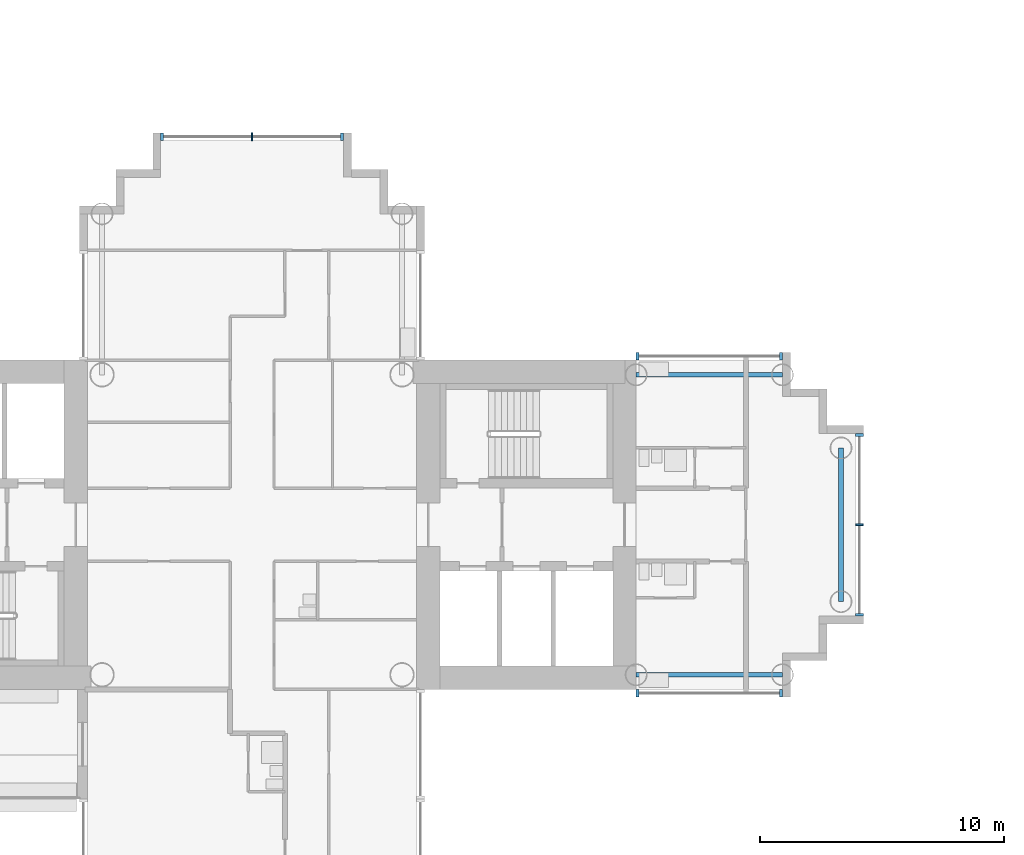
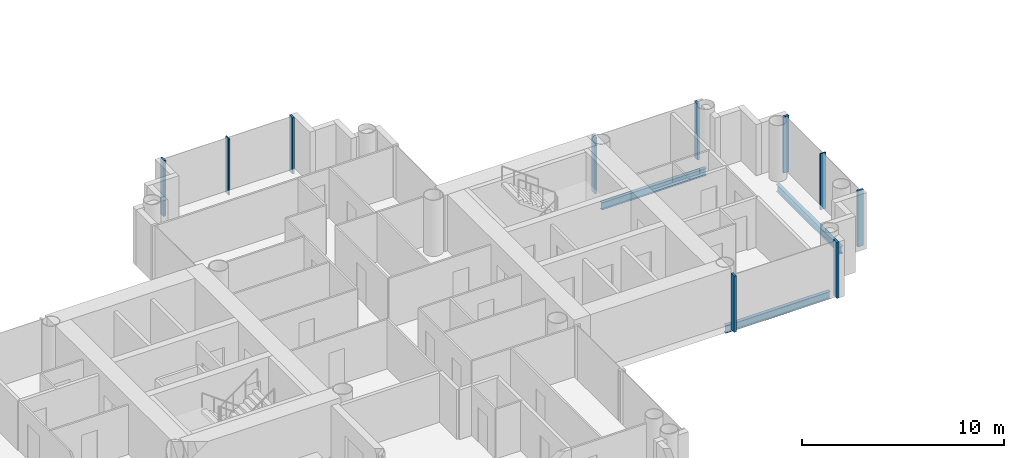
# One storey, part 4 of 21: 10 members, 3 beams, 4 elements without a shape of their own.
"""IFC4 building model written with IfcOpenShell, lengths in metres."""

import ifcopenshell
import ifcopenshell.guid

model = None  # the IFC model being written
_history = None  # IfcOwnerHistory: only IFC2X3 demands one
_inside = {}  # id of a spatial element -> (the spatial element, [elements in it])
_under = {}  # id of a project, library or spatial element -> (it, [spatial elements below it])
_declared = {}  # id of a project -> (the project, [libraries it declares])
_typed = {}  # id of a type object -> (the type object, [elements of that type])
_made_of = {}  # id of a material, layer set ... -> (it, [elements and type objects made of it])


def new_model(schema):
    """Start an empty IFC model of exactly this schema.

    Asked for "IFC4X3", IfcOpenShell would pick the latest addendum, in which some entities
    have other attributes; the version numbers below select the first issue.
    IFC2X3 requires an IfcOwnerHistory on every rooted entity: one is made here for all.
    """
    global model, _history
    if schema == "IFC4X3":
        model = ifcopenshell.file(schema_version=(4, 3, 0, 0))
    else:
        model = ifcopenshell.file(schema=schema)
    _inside.clear()
    _under.clear()
    _declared.clear()
    _typed.clear()
    _made_of.clear()
    _history = None
    if model.schema == "IFC2X3":
        org = make("IfcOrganization", Name="unknown")
        user = make(
            "IfcPersonAndOrganization",
            ThePerson=make("IfcPerson", FamilyName="unknown"),
            TheOrganization=org,
        )
        app = make(
            "IfcApplication",
            ApplicationDeveloper=org,
            Version="unknown",
            ApplicationFullName="unknown",
            ApplicationIdentifier="unknown",
        )
        _history = make(
            "IfcOwnerHistory",
            OwningUser=user,
            OwningApplication=app,
            ChangeAction="ADDED",
            CreationDate=0,
        )
    return model


def make(cls, **values):
    """One entity of the class cls with the attributes given. An attribute that is None is left unset."""
    return model.create_entity(
        cls, **{name: value for name, value in values.items() if value is not None}
    )


def rooted(cls, **values):
    """An entity with a GlobalId (a new one), such as an element, a storey or a relation."""
    return make(cls, GlobalId=ifcopenshell.guid.new(), OwnerHistory=_history, **values)


def si_unit(unit_type, name, prefix=None):
    """IfcSIUnit, for example si_unit("LENGTHUNIT", "METRE", prefix="MILLI")."""
    return make("IfcSIUnit", UnitType=unit_type, Prefix=prefix, Name=name)


def assignment(units):
    """IfcUnitAssignment: the units of a project."""
    return None if units is None else make("IfcUnitAssignment", Units=units)


def point(xyz):
    """IfcCartesianPoint."""
    return None if xyz is None else make("IfcCartesianPoint", Coordinates=xyz)


def direction(xyz):
    """IfcDirection."""
    return None if xyz is None else make("IfcDirection", DirectionRatios=xyz)


def frame(location, z_axis=None, x_axis=None):
    """IfcAxis2Placement3D, a coordinate frame: its origin and axes. An axis left out is left unset."""
    return make(
        "IfcAxis2Placement3D",
        Location=point(location),
        Axis=direction(z_axis),
        RefDirection=direction(x_axis),
    )


def frame_2d(location, x_axis=None):
    """IfcAxis2Placement2D, a coordinate frame in the plane: its origin and x axis."""
    return make(
        "IfcAxis2Placement2D", Location=point(location), RefDirection=direction(x_axis)
    )


def origin():
    """The frame at (0, 0, 0) with its axes left unset."""
    return frame((0.0, 0.0, 0.0))


def origin_2d():
    """The frame at (0, 0) in the plane with its x axis left unset."""
    return frame_2d((0.0, 0.0))


def place(relative_to, where):
    """IfcLocalPlacement: puts the frame where relative to a parent placement (None: the world)."""
    return make(
        "IfcLocalPlacement", PlacementRelTo=relative_to, RelativePlacement=where
    )


def context(
    kind, dimensions, precision=None, world=None, true_north=None, identifier=None
):
    """IfcGeometricRepresentationContext, for example the 3D "Model" context."""
    return make(
        "IfcGeometricRepresentationContext",
        ContextIdentifier=identifier,
        ContextType=kind,
        CoordinateSpaceDimension=dimensions,
        Precision=precision,
        WorldCoordinateSystem=world,
        TrueNorth=true_north,
    )


def subcontext(parent, identifier, kind, view, scale=None):
    """IfcGeometricRepresentationSubContext, for example "Body" below "Model"."""
    return make(
        "IfcGeometricRepresentationSubContext",
        ContextIdentifier=identifier,
        ContextType=kind,
        ParentContext=parent,
        TargetScale=scale,
        TargetView=view,
    )


def project(units=None, contexts=None):
    """IfcProject with its units and contexts."""
    return rooted(
        "IfcProject",
        Name="project",
        RepresentationContexts=contexts,
        UnitsInContext=assignment(units),
    )


def spatial(cls, under=None, at=None, **own):
    """A site, building, storey or space (cls), placed at a placement, below another one or the project."""
    s = rooted(cls, ObjectPlacement=at, **own)
    if under is not None:
        _under.setdefault(under.id(), (under, []))[1].append(s)
    return s


def profile(cls, at=None, kind="AREA", **sizes):
    """A parametric profile (cls). Its sizes go by their IFC names, for example OverallWidth=200.0."""
    return make(cls, ProfileType=kind, Position=at, **sizes)


def rectangle(**sizes):
    """IfcRectangleProfileDef."""
    return profile("IfcRectangleProfileDef", **sizes)


def i_section(**sizes):
    """IfcIShapeProfileDef."""
    return profile("IfcIShapeProfileDef", **sizes)


def extrude(swept, where, along, depth):
    """IfcExtrudedAreaSolid: the profile swept, set in the frame where, extruded along a direction by depth."""
    return make(
        "IfcExtrudedAreaSolid",
        SweptArea=swept,
        Position=where,
        ExtrudedDirection=direction(along),
        Depth=depth,
    )


def shape(context_of_items, identifier, shape_type, items):
    """IfcShapeRepresentation: the items that make up one representation, for example the "Body"."""
    return make(
        "IfcShapeRepresentation",
        ContextOfItems=context_of_items,
        RepresentationIdentifier=identifier,
        RepresentationType=shape_type,
        Items=items,
    )


def material(Name=None, Category=None):
    """IfcMaterial."""
    return make("IfcMaterial", Name=Name, Category=Category)


def layer(
    of_material, thickness, ventilated=None, Name=None, Category=None, Priority=None
):
    """IfcMaterialLayer: one layer of a wall or slab, of a material (None: an air gap)."""
    return make(
        "IfcMaterialLayer",
        Material=of_material,
        LayerThickness=thickness,
        IsVentilated=ventilated,
        Name=Name,
        Category=Category,
        Priority=Priority,
    )


def layer_set(layers, Name=None):
    """IfcMaterialLayerSet."""
    return make("IfcMaterialLayerSet", MaterialLayers=layers, LayerSetName=Name)


def material_profile(
    of_material, cross_section, Name=None, Category=None, Priority=None
):
    """IfcMaterialProfile: a cross section and its material."""
    return make(
        "IfcMaterialProfile",
        Name=Name,
        Material=of_material,
        Profile=cross_section,
        Priority=Priority,
        Category=Category,
    )


def profile_set(profiles, Name=None, composite=None):
    """IfcMaterialProfileSet."""
    return make(
        "IfcMaterialProfileSet",
        Name=Name,
        MaterialProfiles=profiles,
        CompositeProfile=composite,
    )


def made_of(thing, what):
    """Note that an element or type object is made of a material, layer set ...; save() writes the relation."""
    if what is not None:
        _made_of.setdefault(what.id(), (what, []))[1].append(thing)
    return thing


def type_object(cls, material=None, **own):
    """A type object (cls), such as IfcWallType, which elements share."""
    return made_of(rooted(cls, **own), material)


def element(
    cls,
    number,
    at=None,
    inside=None,
    cuts=None,
    type_object=None,
    material=None,
    context=None,
    identifier="Body",
    shape_type=None,
    held_by="IfcProductDefinitionShape",
    body=None,
    shapes=None,
    **own,
):
    """One element of the class cls, such as IfcWall. Its Tag is "e" and its number.

    at: its placement. inside: the storey or other place that contains it. cuts: it is an
    opening in that element (IfcRelVoidsElement). A single representation is given by context,
    identifier, shape_type and body (its items); several are given by shapes. held_by: the class
    of the entity that holds the representations. save() writes the other relations.
    """
    e = rooted(cls, Tag="e%d" % number, ObjectPlacement=at, **own)
    if body is not None:
        shapes = [shape(context, identifier, shape_type, body)]
    if shapes is not None:
        e.Representation = make(held_by, Representations=shapes)
    if inside is not None:
        _inside.setdefault(inside.id(), (inside, []))[1].append(e)
    if cuts is not None:
        rooted(
            "IfcRelVoidsElement", RelatingBuildingElement=cuts, RelatedOpeningElement=e
        )
    if type_object is not None:
        _typed.setdefault(type_object.id(), (type_object, []))[1].append(e)
    return made_of(e, material)


def aggregate(whole, parts):
    """IfcRelAggregates: a whole, such as a stair, and the parts it consists of."""
    return rooted("IfcRelAggregates", RelatingObject=whole, RelatedObjects=parts)


def save(model, path):
    """Write the relations noted so far, then the file.

    IfcRelAggregates (storeys below a building ...), IfcRelContainedInSpatialStructure (elements
    in a storey), IfcRelDefinesByType, IfcRelAssociatesMaterial and IfcRelDeclares: one each for
    every whole, place, type object, material and project.
    """
    for whole, parts in _under.values():
        aggregate(whole, parts)
    for where, things in _inside.values():
        rooted(
            "IfcRelContainedInSpatialStructure",
            RelatedElements=things,
            RelatingStructure=where,
        )
    for kind, things in _typed.values():
        rooted("IfcRelDefinesByType", RelatedObjects=things, RelatingType=kind)
    for what, things in _made_of.values():
        rooted("IfcRelAssociatesMaterial", RelatedObjects=things, RelatingMaterial=what)
    for by, libraries in _declared.values():
        rooted("IfcRelDeclares", RelatingContext=by, RelatedDefinitions=libraries)
    model.write(path)


model = new_model("IFC4")

# Units and contexts
model_context = context("Model", 3, precision=1e-05, world=origin(), true_north=direction((0.0, 1.0)))
body_context = subcontext(model_context, "Body", "Model", "MODEL_VIEW")
ifc_project = project(units=[si_unit("LENGTHUNIT", "METRE"), si_unit("AREAUNIT", "SQUARE_METRE"), si_unit("VOLUMEUNIT", "CUBIC_METRE"), si_unit("PLANEANGLEUNIT", "RADIAN"), si_unit("MASSUNIT", "GRAM", prefix="KILO")], contexts=[model_context])

# Site, building, storey
site_placement = place(None, origin())
site = spatial("IfcSite", under=ifc_project, at=site_placement, CompositionType="ELEMENT")
building_placement = place(site_placement, origin())
building = spatial("IfcBuilding", under=site, at=building_placement, Name="Ipe Terrace Towers", CompositionType="ELEMENT")
storey_placement = place(building_placement, frame((0.0, 0.0, 97.0)))
storey = spatial("IfcBuildingStorey", under=building, at=storey_placement, Name="L26", CompositionType="ELEMENT", Elevation=97.0)

# Beams
ifc_material_1 = material(Name="Steel S355", Category="steel")
ifc_material_profile_1 = material_profile(ifc_material_1, i_section(OverallWidth=0.199951171875, OverallDepth=0.449951171875, WebThickness=0.009033203125, FlangeThickness=0.013916015625, at=origin_2d()), Name="H-450x200x9x14")
ifc_profile_set_1 = profile_set([ifc_material_profile_1], Name="Steel S355")
beam_type = type_object("IfcBeamType", Name="H08 EDGE BEAM H-450x200x9x14", PredefinedType="BEAM", material=ifc_profile_set_1)
for number, where, z_axis, x_axis, name in (
    (1, (-20.25, -6.14990234375, -0.625), (1.0, 0.0, 0.0), (0.0, 1.0, 0.0), "Edge beam T1-EB-A01-A03"),
    (2, (-20.25, 6.14990234375, -0.625), (1.0, 0.0, 0.0), (0.0, 1.0, 0.0), "Edge beam T1-EB-A02-A04"),
):
    element("IfcBeam", number, at=place(storey_placement, frame(where, z_axis=z_axis, x_axis=x_axis)), inside=storey, type_object=beam_type, Name=name, PredefinedType="BEAM", context=body_context, shape_type="SweptSolid", body=[
        extrude(i_section(OverallWidth=0.199951171875, OverallDepth=0.449951171875, WebThickness=0.009033203125, FlangeThickness=0.013916015625, at=origin_2d()), origin(), (0.0, 0.0, 1.0), 6.0),
    ])
beam_placement = place(storey_placement, frame((-11.85009765625, -3.14990234375, -0.625), z_axis=(0.0, 1.0, 0.0), x_axis=(-1.0, 0.0, 0.0)))
element("IfcBeam", 3, at=beam_placement, inside=storey, type_object=beam_type, Name="Edge beam T1-EB-A05-A06", PredefinedType="BEAM", context=body_context, shape_type="SweptSolid", body=[
    extrude(i_section(OverallWidth=0.199951171875, OverallDepth=0.449951171875, WebThickness=0.009033203125, FlangeThickness=0.013916015625, at=origin_2d()), origin(), (0.0, 0.0, 1.0), 6.2998046875),
])

# Curtain wall, members
ifc_material_2 = material(Name="Aluminium alloy 6063-T6", Category="aluminium")
ifc_layer = layer(ifc_material_2, 0.320068359375)
ifc_layer_set = layer_set([ifc_layer], Name="TOWER UNITISED CURTAIN WALL")
curtain_wall_type = type_object("IfcCurtainWallType", Name="TOWER UNITISED CURTAIN WALL", PredefinedType="NOTDEFINED", material=ifc_layer_set)
curtain_wall_1_placement = place(storey_placement, origin())
curtain_wall_1 = element("IfcCurtainWall", 4, at=curtain_wall_1_placement, inside=storey, type_object=curtain_wall_type, Name="T1-CW-L26-20b curtain wall", PredefinedType="NOTDEFINED")
ifc_material_3 = material(Name="Aluminium alloy 6063-T6", Category="aluminium")
ifc_material_profile_2 = material_profile(ifc_material_3, rectangle(XDim=0.320068359375, YDim=0.1201171875, at=origin_2d()), Name="TOWER UNITISED CORNER MULLION 320 x 120")
ifc_profile_set_2 = profile_set([ifc_material_profile_2], Name="Aluminium alloy 6063-T6")
member_type_1 = type_object("IfcMemberType", Name="TOWER UNITISED CORNER MULLION 320 x 120", PredefinedType="MULLION", material=ifc_profile_set_2)
member_1_placement = place(storey_placement, frame((-20.18896484375, -6.909912109375, -0.300048828125), z_axis=(0.0, 0.0, 1.0), x_axis=(0.0, -1.0, 0.0)))
member_1 = element("IfcMember", 5, at=member_1_placement, type_object=member_type_1, Name="T1-CW-L26-20b mullion 1", PredefinedType="MULLION", context=body_context, shape_type="SweptSolid", body=[
    extrude(rectangle(XDim=0.320068359375, YDim=0.1201171875, at=origin_2d()), origin(), (0.0, 0.0, 1.0), 3.400146484375),
])
member_2_placement = place(storey_placement, frame((-14.31005859375, -6.909912109375, -0.300048828125), z_axis=(0.0, 0.0, 1.0), x_axis=(0.0, -1.0, 0.0)))
member_2 = element("IfcMember", 6, at=member_2_placement, type_object=member_type_1, Name="T1-CW-L26-20b mullion 2", PredefinedType="MULLION", context=body_context, shape_type="SweptSolid", body=[
    extrude(rectangle(XDim=0.320068359375, YDim=0.1201171875, at=origin_2d()), origin(), (0.0, 0.0, 1.0), 3.400146484375),
])
aggregate(curtain_wall_1, [member_1, member_2])

curtain_wall_2_placement = place(storey_placement, origin())
curtain_wall_2 = element("IfcCurtainWall", 7, at=curtain_wall_2_placement, inside=storey, type_object=curtain_wall_type, Name="T1-CW-L26-25a curtain wall", PredefinedType="NOTDEFINED")
member_3_placement = place(storey_placement, frame((-11.090087890625, -3.68994140625, -0.300048828125), z_axis=(0.0, 0.0, 1.0), x_axis=(1.0, 0.0, 0.0)))
member_3 = element("IfcMember", 8, at=member_3_placement, type_object=member_type_1, Name="T1-CW-L26-25a mullion 1", PredefinedType="MULLION", context=body_context, shape_type="SweptSolid", body=[
    extrude(rectangle(XDim=0.320068359375, YDim=0.1201171875, at=origin_2d()), origin(), (0.0, 0.0, 1.0), 3.400146484375),
])
member_4_placement = place(storey_placement, frame((-11.090087890625, 3.68994140625, -0.300048828125), z_axis=(0.0, 0.0, 1.0), x_axis=(1.0, 0.0, 0.0)))
member_4 = element("IfcMember", 9, at=member_4_placement, type_object=member_type_1, Name="T1-CW-L26-25a mullion 3", PredefinedType="MULLION", context=body_context, shape_type="SweptSolid", body=[
    extrude(rectangle(XDim=0.320068359375, YDim=0.1201171875, at=origin_2d()), origin(), (0.0, 0.0, 1.0), 3.400146484375),
])

curtain_wall_3_placement = place(storey_placement, origin())
curtain_wall_3 = element("IfcCurtainWall", 10, at=curtain_wall_3_placement, inside=storey, type_object=curtain_wall_type, Name="T1-CW-L26-30a curtain wall", PredefinedType="NOTDEFINED")
member_5_placement = place(storey_placement, frame((-14.31005859375, 6.909912109375, -0.300048828125), z_axis=(0.0, 0.0, 1.0), x_axis=(0.0, 1.0, 0.0)))
member_5 = element("IfcMember", 11, at=member_5_placement, type_object=member_type_1, Name="T1-CW-L26-30a mullion 1", PredefinedType="MULLION", context=body_context, shape_type="SweptSolid", body=[
    extrude(rectangle(XDim=0.320068359375, YDim=0.1201171875, at=origin_2d()), origin(), (0.0, 0.0, 1.0), 3.400146484375),
])
member_6_placement = place(storey_placement, frame((-20.18896484375, 6.909912109375, -0.300048828125), z_axis=(0.0, 0.0, 1.0), x_axis=(0.0, 1.0, 0.0)))
member_6 = element("IfcMember", 12, at=member_6_placement, type_object=member_type_1, Name="T1-CW-L26-30a mullion 2", PredefinedType="MULLION", context=body_context, shape_type="SweptSolid", body=[
    extrude(rectangle(XDim=0.320068359375, YDim=0.1201171875, at=origin_2d()), origin(), (0.0, 0.0, 1.0), 3.400146484375),
])
aggregate(curtain_wall_3, [member_5, member_6])

curtain_wall_4_placement = place(storey_placement, origin())
curtain_wall_4 = element("IfcCurtainWall", 13, at=curtain_wall_4_placement, inside=storey, type_object=curtain_wall_type, Name="T1-CW-L26-38a curtain wall", PredefinedType="NOTDEFINED")
member_7_placement = place(storey_placement, frame((-32.31005859375, 15.909912109375, -0.300048828125), z_axis=(0.0, 0.0, 1.0), x_axis=(0.0, 1.0, 0.0)))
member_7 = element("IfcMember", 14, at=member_7_placement, type_object=member_type_1, Name="T1-CW-L26-38a mullion 1", PredefinedType="MULLION", context=body_context, shape_type="SweptSolid", body=[
    extrude(rectangle(XDim=0.320068359375, YDim=0.1201171875, at=origin_2d()), origin(), (0.0, 0.0, 1.0), 3.400146484375),
])
member_8_placement = place(storey_placement, frame((-39.68994140625, 15.909912109375, -0.300048828125), z_axis=(0.0, 0.0, 1.0), x_axis=(0.0, 1.0, 0.0)))
member_8 = element("IfcMember", 15, at=member_8_placement, type_object=member_type_1, Name="T1-CW-L26-38a mullion 3", PredefinedType="MULLION", context=body_context, shape_type="SweptSolid", body=[
    extrude(rectangle(XDim=0.320068359375, YDim=0.1201171875, at=origin_2d()), origin(), (0.0, 0.0, 1.0), 3.400146484375),
])

# Member
ifc_material_4 = material(Name="Aluminium alloy 6063-T6", Category="aluminium")
ifc_material_profile_3 = material_profile(ifc_material_4, rectangle(XDim=0.320068359375, YDim=0.06494140625, at=origin_2d()), Name="TOWER UNITISED MULLION 320 x 65")
ifc_profile_set_3 = profile_set([ifc_material_profile_3], Name="Aluminium alloy 6063-T6")
member_type_2 = type_object("IfcMemberType", Name="TOWER UNITISED MULLION 320 x 65", PredefinedType="MULLION", material=ifc_profile_set_3)
member_9_placement = place(storey_placement, frame((-11.090087890625, 0.0, -0.300048828125), z_axis=(0.0, 0.0, 1.0), x_axis=(1.0, 0.0, 0.0)))
member_9 = element("IfcMember", 16, at=member_9_placement, type_object=member_type_2, Name="T1-CW-L26-25a mullion 2", PredefinedType="MULLION", context=body_context, shape_type="SweptSolid", body=[
    extrude(rectangle(XDim=0.320068359375, YDim=0.06494140625, at=origin_2d()), origin(), (0.0, 0.0, 1.0), 3.400146484375),
])

aggregate(curtain_wall_2, [member_3, member_9, member_4])

member_10_placement = place(storey_placement, frame((-36.0, 15.909912109375, -0.300048828125), z_axis=(0.0, 0.0, 1.0), x_axis=(0.0, 1.0, 0.0)))
member_10 = element("IfcMember", 17, at=member_10_placement, type_object=member_type_2, Name="T1-CW-L26-38a mullion 2", PredefinedType="MULLION", context=body_context, shape_type="SweptSolid", body=[
    extrude(rectangle(XDim=0.320068359375, YDim=0.06494140625, at=origin_2d()), origin(), (0.0, 0.0, 1.0), 3.400146484375),
])

aggregate(curtain_wall_4, [member_7, member_10, member_8])

save(model, "model.ifc")
